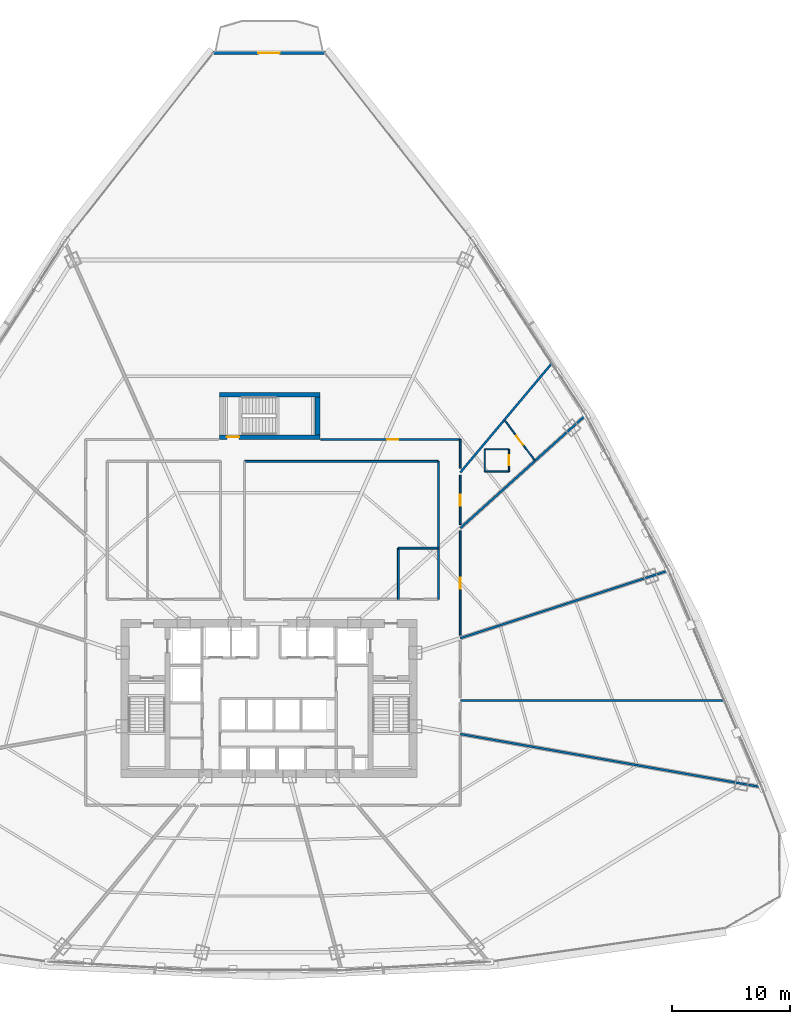
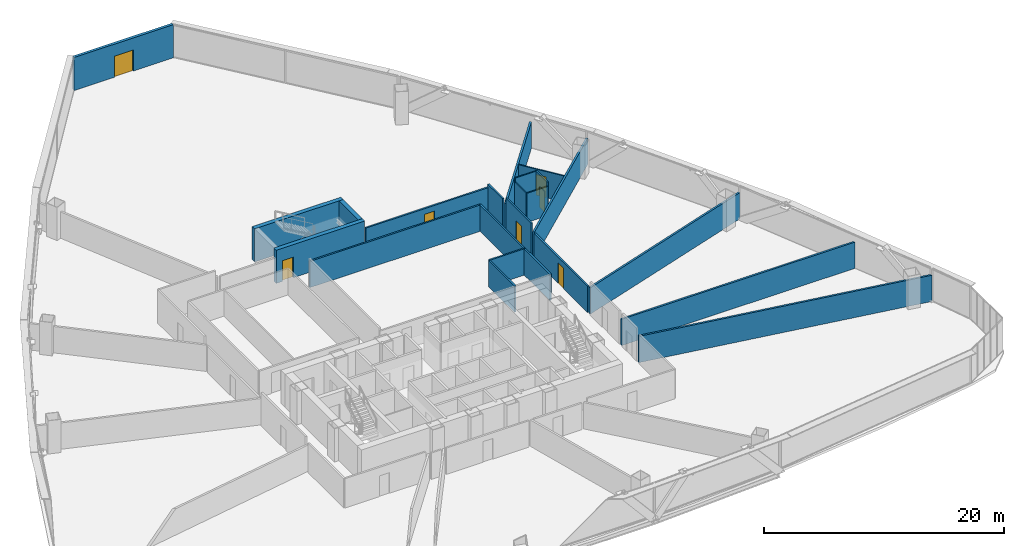
# One storey, part 37 of 42: 22 walls, 7 doors, 7 openings.
"""IFC4 building model written with IfcOpenShell, lengths in metres."""

from ifc_helpers import new_model, si_unit, direction, frame, frame_2d, origin, origin_with_axes, place, context, subcontext, project, spatial, rectangle, extrude, source, transform, mapped, material, layer, layer_set, type_object, element, fill, save


model = new_model("IFC4")

# Units and contexts
model_context = context("Model", 3, precision=1e-05, world=origin(), true_north=direction((0.0, 1.0)))
body_context = subcontext(model_context, "Body", "Model", "MODEL_VIEW")
ifc_project = project(units=[si_unit("LENGTHUNIT", "METRE"), si_unit("AREAUNIT", "SQUARE_METRE"), si_unit("VOLUMEUNIT", "CUBIC_METRE"), si_unit("PLANEANGLEUNIT", "RADIAN"), si_unit("MASSUNIT", "GRAM", prefix="KILO"), si_unit("THERMODYNAMICTEMPERATUREUNIT", "KELVIN"), si_unit("POWERUNIT", "WATT")], contexts=[model_context])

# Site, building, storey
site_placement = place(None, origin())
site = spatial("IfcSite", under=ifc_project, at=site_placement, CompositionType="ELEMENT")
building_placement = place(site_placement, origin())
building = spatial("IfcBuilding", under=site, at=building_placement, Name="Yunzhuo Pagoda Commons", CompositionType="ELEMENT")
storey_placement = place(building_placement, frame((0.0, 0.0, 48.550048828125)))
storey = spatial("IfcBuildingStorey", under=building, at=storey_placement, Name="L12", CompositionType="ELEMENT", Elevation=48.550048828125)

# Wall, opening, door
ifc_material_1 = material(Name="Precast concrete C40", Category="concrete")
ifc_layer_1 = layer(ifc_material_1, 0.260009765625)
ifc_layer_set_1 = layer_set([ifc_layer_1], Name="Precast concrete C40")
wall_type_1 = type_object("IfcWallType", Name="W-BAL1 Corner Balcony Threshold Wall 260", PredefinedType="STANDARD", material=ifc_layer_set_1)
wall_1_placement = place(storey_placement, frame((52.773193359375, 88.565673828125, 0.0), z_axis=(0.0, 0.0, 1.0), x_axis=(-1.0, 0.0, 0.0)))
wall_1 = element("IfcWall", 1, at=wall_1_placement, inside=storey, type_object=wall_type_1, Name="L12 corner balcony wall V3", PredefinedType="STANDARD", context=body_context, shape_type="SweptSolid", body=[
    extrude(rectangle(XDim=9.54638671875, YDim=0.260009765625, at=frame_2d((4.773193359375, 0.0))), origin(), (0.0, 0.0, 1.0), 3.369873046875),
])
opening_1_placement = place(wall_1_placement, frame((3.873291015625, 0.0, 0.0)))
opening_1 = element("IfcOpeningElement", 2, at=opening_1_placement, cuts=wall_1, Name="Opening D-BAL1", PredefinedType="OPENING", context=body_context, shape_type="SweptSolid", body=[
    extrude(rectangle(XDim=1.800048828125, YDim=2.14990234375, at=frame_2d((0.89990234375, 1.074951171875))), frame((0.0, 0.14013671875, 0.0), z_axis=(0.0, -1.0, 0.0), x_axis=(1.0, 0.0, 0.0)), (0.0, 0.0, 1.0), 0.280029296875),
])
ifc_material_2 = material(Name="Anodized aluminium frame and tempered glazed leaf", Category="aluminium")
door_type_1 = type_object("IfcDoorType", Name="D-BAL1 Corner Balcony Sliding Glazed Door 1800x2150", OperationType="DOUBLE_DOOR_SLIDING", PredefinedType="DOOR", material=ifc_material_2)
shared_shape_1 = source(origin(), body_context, "Body", "SweptSolid", [
    extrude(rectangle(XDim=1.800048828125, YDim=2.14990234375, at=frame_2d((0.89990234375, 1.074951171875))), frame((0.0, 0.02490234375, 0.0), z_axis=(0.0, -1.0, 0.0), x_axis=(1.0, 0.0, 0.0)), (0.0, 0.0, 1.0), 0.050048828125),
])
door_1_placement = place(opening_1_placement, origin_with_axes())
door_1 = element("IfcDoor", 3, at=door_1_placement, inside=storey, type_object=door_type_1, Name="L12 corner balcony sliding door V3", OperationType="DOUBLE_DOOR_SLIDING", OverallHeight=2.14990234375, OverallWidth=1.800048828125, PredefinedType="DOOR", context=body_context, shape_type="MappedRepresentation", body=[
    mapped(shared_shape_1, transform((0.0, 0.0, 0.0), scale=1.0)),
])
fill(opening_1, door_1)

# Walls
ifc_material_3 = material(Name="Gypsum plasterboard on acoustic stud")
ifc_layer_2 = layer(ifc_material_3, 0.159912109375)
ifc_layer_set_2 = layer_set([ifc_layer_2], Name="Gypsum plasterboard on acoustic stud")
wall_type_2 = type_object("IfcWallType", Name="W-COR1 Tower Rated Corridor Wall 160", PredefinedType="PARTITIONING", material=ifc_layer_set_2)
wall_2_placement = place(storey_placement, frame((45.919921875, 53.949951171875, 0.0), z_axis=(0.0, 0.0, 1.0), x_axis=(1.0, 0.0, 0.0)))
element("IfcWall", 4, at=wall_2_placement, inside=storey, type_object=wall_type_2, Name="L12 interior wall IW-L12-ISLEN", PredefinedType="PARTITIONING", context=body_context, shape_type="SweptSolid", body=[
    extrude(rectangle(XDim=16.43017578125, YDim=0.159912109375, at=frame_2d((8.215087890625, 0.0))), origin(), (0.0, 0.0, 1.0), 2.669921875),
])
wall_3_placement = place(storey_placement, frame((62.35009765625, 42.25, 0.0), z_axis=(0.0, 0.0, 1.0), x_axis=(0.0, 1.0, 0.0)))
element("IfcWall", 5, at=wall_3_placement, inside=storey, type_object=wall_type_2, Name="L12 interior wall IW-L12-ISLEE", PredefinedType="PARTITIONING", context=body_context, shape_type="SweptSolid", body=[
    extrude(rectangle(XDim=11.699951171875, YDim=0.159912109375, at=frame_2d((5.85009765625, 0.0))), origin(), (0.0, 0.0, 1.0), 2.669921875),
])
wall_4_placement = place(storey_placement, frame((58.949951171875, 42.25, 0.0), z_axis=(0.0, 0.0, 1.0), x_axis=(0.0, 1.0, 0.0)))
element("IfcWall", 6, at=wall_4_placement, inside=storey, type_object=wall_type_2, Name="L12 interior wall IW-L12-ISL2W", PredefinedType="PARTITIONING", context=body_context, shape_type="SweptSolid", body=[
    extrude(rectangle(XDim=4.35009765625, YDim=0.159912109375, at=frame_2d((2.175048828125, 0.0))), origin(), (0.0, 0.0, 1.0), 2.669921875),
])
wall_5_placement = place(storey_placement, frame((58.949951171875, 46.60009765625, 0.0), z_axis=(0.0, 0.0, 1.0), x_axis=(1.0, 0.0, 0.0)))
element("IfcWall", 7, at=wall_5_placement, inside=storey, type_object=wall_type_2, Name="L12 interior wall IW-L12-ISL2N", PredefinedType="PARTITIONING", context=body_context, shape_type="SweptSolid", body=[
    extrude(rectangle(XDim=3.400146484375, YDim=0.159912109375, at=frame_2d((1.7001953125, 0.0))), origin(), (0.0, 0.0, 1.0), 2.669921875),
])

# Wall, opening, door
wall_6_placement = place(storey_placement, frame((52.39111328125, 55.800048828125, 0.0), z_axis=(0.0, 0.0, 1.0), x_axis=(1.0, 0.0, 0.0)))
wall_6 = element("IfcWall", 8, at=wall_6_placement, inside=storey, type_object=wall_type_2, Name="L12 interior wall IW-L12-CWL07", PredefinedType="PARTITIONING", context=body_context, shape_type="SweptSolid", body=[
    extrude(rectangle(XDim=11.808837890625, YDim=0.159912109375, at=frame_2d((5.904296875, 0.0))), origin(), (0.0, 0.0, 1.0), 2.669921875),
])
opening_2_placement = place(wall_6_placement, frame((5.623779296875, 0.0, 0.0)))
opening_2 = element("IfcOpeningElement", 9, at=opening_2_placement, cuts=wall_6, Name="Opening D-06", PredefinedType="OPENING", context=body_context, shape_type="SweptSolid", body=[
    extrude(rectangle(XDim=0.949951171875, YDim=2.10009765625, at=frame_2d((0.47509765625, 1.050048828125))), frame((0.0, 0.08984375, 0.0), z_axis=(0.0, -1.0, 0.0), x_axis=(1.0, 0.0, 0.0)), (0.0, 0.0, 1.0), 0.179931640625),
])
ifc_material_4 = material(Name="Galvanized fire-resisting metal leaf")
door_type_2 = type_object("IfcDoorType", Name="D-06 Co-Living Suite Entrance Fire Door 950x2100", OperationType="NOTDEFINED", PredefinedType="DOOR", material=ifc_material_4)
shared_shape_2 = source(origin(), body_context, "Body", "SweptSolid", [
    extrude(rectangle(XDim=0.949951171875, YDim=2.10009765625, at=frame_2d((0.47509765625, 1.050048828125))), frame((0.0, 0.02490234375, 0.0), z_axis=(0.0, -1.0, 0.0), x_axis=(1.0, 0.0, 0.0)), (0.0, 0.0, 1.0), 0.050048828125),
])
door_2_placement = place(opening_2_placement, origin_with_axes())
door_2 = element("IfcDoor", 10, at=door_2_placement, inside=storey, type_object=door_type_2, Name="L12 Shared Resident Kitchen and Pantry door", OperationType="SINGLE_SWING_LEFT", OverallHeight=2.10009765625, OverallWidth=0.949951171875, PredefinedType="DOOR", context=body_context, shape_type="MappedRepresentation", body=[
    mapped(shared_shape_2, transform((0.0, 0.0, 0.0), scale=1.0)),
])
fill(opening_2, door_2)

# Wall
wall_7_placement = place(storey_placement, frame((64.199951171875, 55.800048828125, 0.0), z_axis=(0.0, 0.0, 1.0), x_axis=(0.0, -1.0, 0.0)))
element("IfcWall", 11, at=wall_7_placement, inside=storey, type_object=wall_type_2, Name="L12 interior wall IW-L12-CWL08", PredefinedType="PARTITIONING", context=body_context, shape_type="SweptSolid", body=[
    extrude(rectangle(XDim=2.451416015625, YDim=0.159912109375, at=frame_2d((1.2255859375, 0.0))), origin(), (0.0, 0.0, 1.0), 2.969970703125),
])

# Wall, opening, door
wall_8_placement = place(storey_placement, frame((64.199951171875, 52.78662109375, 0.0), z_axis=(0.0, 0.0, 1.0), x_axis=(0.0, -1.0, 0.0)))
wall_8 = element("IfcWall", 12, at=wall_8_placement, inside=storey, type_object=wall_type_2, Name="L12 interior wall IW-L12-CWL09", PredefinedType="PARTITIONING", context=body_context, shape_type="SweptSolid", body=[
    extrude(rectangle(XDim=4.2041015625, YDim=0.159912109375, at=frame_2d((2.10205078125, 0.0))), origin(), (0.0, 0.0, 1.0), 3.369873046875),
])
opening_3_placement = place(wall_8_placement, frame((1.6650390625, 0.0, 0.0)))
opening_3 = element("IfcOpeningElement", 13, at=opening_3_placement, cuts=wall_8, Name="Opening D-06", PredefinedType="OPENING", context=body_context, shape_type="SweptSolid", body=[
    extrude(rectangle(XDim=0.949951171875, YDim=2.10009765625, at=frame_2d((0.47509765625, 1.050048828125))), frame((0.0, 0.08984375, 0.0), z_axis=(0.0, -1.0, 0.0), x_axis=(1.0, 0.0, 0.0)), (0.0, 0.0, 1.0), 0.179931640625),
])
door_3_placement = place(opening_3_placement, origin_with_axes())
door_3 = element("IfcDoor", 14, at=door_3_placement, inside=storey, type_object=door_type_2, Name="L12 unit 03 entrance door", OperationType="SINGLE_SWING_RIGHT", OverallHeight=2.10009765625, OverallWidth=0.949951171875, PredefinedType="DOOR", context=body_context, shape_type="MappedRepresentation", body=[
    mapped(shared_shape_2, transform((0.0, 0.0, 0.0), scale=1.0)),
])
fill(opening_3, door_3)

wall_9_placement = place(storey_placement, frame((64.199951171875, 48.06689453125, 0.0), z_axis=(0.0, 0.0, 1.0), x_axis=(0.0, -1.0, 0.0)))
wall_9 = element("IfcWall", 15, at=wall_9_placement, inside=storey, type_object=wall_type_2, Name="L12 interior wall IW-L12-CWL10", PredefinedType="PARTITIONING", context=body_context, shape_type="SweptSolid", body=[
    extrude(rectangle(XDim=8.871826171875, YDim=0.159912109375, at=frame_2d((4.43603515625, 0.0))), origin(), (0.0, 0.0, 1.0), 2.669921875),
])
opening_4_placement = place(wall_9_placement, frame((3.966796875, 0.0, 0.0)))
opening_4 = element("IfcOpeningElement", 16, at=opening_4_placement, cuts=wall_9, Name="Opening D-06", PredefinedType="OPENING", context=body_context, shape_type="SweptSolid", body=[
    extrude(rectangle(XDim=0.949951171875, YDim=2.10009765625, at=frame_2d((0.47509765625, 1.050048828125))), frame((0.0, 0.08984375, 0.0), z_axis=(0.0, -1.0, 0.0), x_axis=(1.0, 0.0, 0.0)), (0.0, 0.0, 1.0), 0.179931640625),
])
door_4_placement = place(opening_4_placement, origin_with_axes())
door_4 = element("IfcDoor", 17, at=door_4_placement, inside=storey, type_object=door_type_2, Name="L12 unit 02 entrance door", OperationType="SINGLE_SWING_LEFT", OverallHeight=2.10009765625, OverallWidth=0.949951171875, PredefinedType="DOOR", context=body_context, shape_type="MappedRepresentation", body=[
    mapped(shared_shape_2, transform((0.0, 0.0, 0.0), scale=1.0)),
])
fill(opening_4, door_4)

# Wall
ifc_layer_3 = layer(ifc_material_3, 0.1201171875)
ifc_layer_set_3 = layer_set([ifc_layer_3], Name="Gypsum plasterboard on acoustic stud")
wall_type_3 = type_object("IfcWallType", Name="W-PRT1 Suite & Bathroom Partition 120", PredefinedType="PARTITIONING", material=ifc_layer_set_3)
wall_10_placement = place(storey_placement, frame((66.27490234375, 53.076904296875, 0.0), z_axis=(0.0, 0.0, 1.0), x_axis=(1.0, 0.0, 0.0)))
element("IfcWall", 18, at=wall_10_placement, inside=storey, type_object=wall_type_3, Name="L12 interior wall IW-L12-B03S", PredefinedType="PARTITIONING", context=body_context, shape_type="SweptSolid", body=[
    extrude(rectangle(XDim=2.050048828125, YDim=0.1201171875, at=frame_2d((1.02490234375, 0.0))), origin(), (0.0, 0.0, 1.0), 2.969970703125),
])

# Wall, opening, door
wall_11_placement = place(storey_placement, frame((68.324951171875, 53.076904296875, 0.0), z_axis=(0.0, 0.0, 1.0), x_axis=(0.0, 1.0, 0.0)))
wall_11 = element("IfcWall", 19, at=wall_11_placement, inside=storey, type_object=wall_type_3, Name="L12 interior wall IW-L12-B03E", PredefinedType="PARTITIONING", context=body_context, shape_type="SweptSolid", body=[
    extrude(rectangle(XDim=1.900146484375, YDim=0.1201171875, at=frame_2d((0.9501953125, 0.0))), origin(), (0.0, 0.0, 1.0), 3.369873046875),
])
opening_5_placement = place(wall_11_placement, frame((0.52490234375, 0.0, 0.0)))
opening_5 = element("IfcOpeningElement", 20, at=opening_5_placement, cuts=wall_11, Name="Opening D-05", PredefinedType="OPENING", context=body_context, shape_type="SweptSolid", body=[
    extrude(rectangle(XDim=0.85009765625, YDim=2.10009765625, at=frame_2d((0.425048828125, 1.050048828125))), frame((0.0, 0.070068359375, 0.0), z_axis=(0.0, -1.0, 0.0), x_axis=(1.0, 0.0, 0.0)), (0.0, 0.0, 1.0), 0.14013671875),
])
ifc_material_5 = material(Name="Powder-coated aluminium and timber acoustic leaf", Category="wood")
door_type_3 = type_object("IfcDoorType", Name="D-05 En-Suite Bathroom Door 850x2100", OperationType="NOTDEFINED", PredefinedType="DOOR", material=ifc_material_5)
shared_shape_3 = source(origin(), body_context, "Body", "SweptSolid", [
    extrude(rectangle(XDim=0.85009765625, YDim=2.10009765625, at=frame_2d((0.425048828125, 1.050048828125))), frame((0.0, 0.02490234375, 0.0), z_axis=(0.0, -1.0, 0.0), x_axis=(1.0, 0.0, 0.0)), (0.0, 0.0, 1.0), 0.050048828125),
])
door_5_placement = place(opening_5_placement, frame((0.85009765625, 0.0, 0.0), z_axis=(0.0, 0.0, 1.0), x_axis=(-1.0, 0.0, 0.0)))
door_5 = element("IfcDoor", 21, at=door_5_placement, inside=storey, type_object=door_type_3, Name="L12 unit 03 bathroom door", OperationType="SINGLE_SWING_RIGHT", OverallHeight=2.10009765625, OverallWidth=0.85009765625, PredefinedType="DOOR", context=body_context, shape_type="MappedRepresentation", body=[
    mapped(shared_shape_3, transform((0.0, 0.0, 0.0), scale=1.0)),
])
fill(opening_5, door_5)

# Walls
wall_12_placement = place(storey_placement, frame((68.324951171875, 54.97705078125, 0.0), z_axis=(0.0, 0.0, 1.0), x_axis=(-1.0, 0.0, 0.0)))
element("IfcWall", 22, at=wall_12_placement, inside=storey, type_object=wall_type_3, Name="L12 interior wall IW-L12-B03N", PredefinedType="PARTITIONING", context=body_context, shape_type="SweptSolid", body=[
    extrude(rectangle(XDim=2.050048828125, YDim=0.1201171875, at=frame_2d((1.02490234375, 0.0))), origin(), (0.0, 0.0, 1.0), 3.369873046875),
])
wall_13_placement = place(storey_placement, frame((66.27490234375, 54.97705078125, 0.0), z_axis=(0.0, 0.0, 1.0), x_axis=(0.0, -1.0, 0.0)))
element("IfcWall", 23, at=wall_13_placement, inside=storey, type_object=wall_type_3, Name="L12 interior wall IW-L12-B03W", PredefinedType="PARTITIONING", context=body_context, shape_type="SweptSolid", body=[
    extrude(rectangle(XDim=1.900146484375, YDim=0.1201171875, at=frame_2d((0.9501953125, 0.0))), origin(), (0.0, 0.0, 1.0), 2.969970703125),
])

# Wall, opening, door
wall_14_placement = place(storey_placement, frame((70.500732421875, 54.040283203125, 0.0), z_axis=(0.0, 0.0, 1.0), x_axis=(-0.599443526822, 0.800417052636, 0.0)))
wall_14 = element("IfcWall", 24, at=wall_14_placement, inside=storey, type_object=wall_type_3, Name="L12 interior wall IW-L12-CLB03", PredefinedType="PARTITIONING", context=body_context, shape_type="SweptSolid", body=[
    extrude(rectangle(XDim=4.212890625, YDim=0.1201171875, at=frame_2d((2.1064453125, 0.0))), origin(), (0.0, 0.0, 1.0), 2.669921875),
])
opening_6_placement = place(wall_14_placement, frame((1.646484375, 0.0, 0.0)))
opening_6 = element("IfcOpeningElement", 25, at=opening_6_placement, cuts=wall_14, Name="Opening D-04", PredefinedType="OPENING", context=body_context, shape_type="SweptSolid", body=[
    extrude(rectangle(XDim=0.919921875, YDim=2.10009765625, at=frame_2d((0.4599609375, 1.050048828125))), frame((0.0, 0.070068359375, 0.0), z_axis=(0.0, -1.0, 0.0), x_axis=(1.0, 0.0, 0.0)), (0.0, 0.0, 1.0), 0.14013671875),
])
door_type_4 = type_object("IfcDoorType", Name="D-04 Bedroom & Study Interior Door 920x2100", OperationType="NOTDEFINED", PredefinedType="DOOR", material=ifc_material_5)
shared_shape_4 = source(origin(), body_context, "Body", "SweptSolid", [
    extrude(rectangle(XDim=0.919921875, YDim=2.10009765625, at=frame_2d((0.4599609375, 1.050048828125))), frame((0.0, 0.02490234375, 0.0), z_axis=(0.0, -1.0, 0.0), x_axis=(1.0, 0.0, 0.0)), (0.0, 0.0, 1.0), 0.050048828125),
])
door_6_placement = place(opening_6_placement, origin_with_axes())
door_6 = element("IfcDoor", 26, at=door_6_placement, inside=storey, type_object=door_type_4, Name="L12 suite 03 bedroom door", OperationType="SINGLE_SWING_RIGHT", OverallHeight=2.10009765625, OverallWidth=0.919921875, PredefinedType="DOOR", context=body_context, shape_type="MappedRepresentation", body=[
    mapped(shared_shape_4, transform((0.0, 0.0, 0.0), scale=1.0)),
])
fill(opening_6, door_6)

# Walls
ifc_layer_4 = layer(ifc_material_3, 0.179931640625)
ifc_layer_set_4 = layer_set([ifc_layer_4], Name="Gypsum plasterboard on acoustic stud")
wall_type_4 = type_object("IfcWallType", Name="W-PRT2 Acoustic Unit Demising Wall 180", PredefinedType="PARTITIONING", material=ifc_layer_set_4)
wall_15_placement = place(storey_placement, frame((64.199951171875, 33.699951171875, 0.0), z_axis=(0.0, 0.0, 1.0), x_axis=(1.0, 0.0, 0.0)))
element("IfcWall", 27, at=wall_15_placement, inside=storey, type_object=wall_type_4, Name="L12 interior wall IW-L12-RAD01", PredefinedType="PARTITIONING", context=body_context, shape_type="SweptSolid", body=[
    extrude(rectangle(XDim=22.397705078125, YDim=0.179931640625, at=frame_2d((11.19873046875, 0.0))), origin(), (0.0, 0.0, 1.0), 2.669921875),
])
wall_16_placement = place(storey_placement, frame((64.199951171875, 38.963623046875, 0.0), z_axis=(0.0, 0.0, 1.0), x_axis=(0.951055212532, 0.309021006915, 0.0)))
element("IfcWall", 28, at=wall_16_placement, inside=storey, type_object=wall_type_4, Name="L12 interior wall IW-L12-RAD02", PredefinedType="PARTITIONING", context=body_context, shape_type="SweptSolid", body=[
    extrude(rectangle(XDim=18.5810546875, YDim=0.179931640625, at=frame_2d((9.29052734375, 0.0))), origin(), (0.0, 0.0, 1.0), 2.669921875),
])
wall_17_placement = place(storey_placement, frame((64.199951171875, 48.28662109375, 0.0), z_axis=(0.0, 0.0, 1.0), x_axis=(0.743156867614, 0.669117231969, 0.0)))
element("IfcWall", 29, at=wall_17_placement, inside=storey, type_object=wall_type_4, Name="L12 interior wall IW-L12-RAD03", PredefinedType="PARTITIONING", context=body_context, shape_type="SweptSolid", body=[
    extrude(rectangle(XDim=14.327392578125, YDim=0.179931640625, at=frame_2d((7.16357421875, 0.0))), origin(), (0.0, 0.0, 1.0), 2.669921875),
])
wall_18_placement = place(storey_placement, frame((64.199951171875, 53.00634765625, 0.0), z_axis=(0.0, 0.0, 1.0), x_axis=(0.642786334534, 0.766045513098, 0.0)))
element("IfcWall", 30, at=wall_18_placement, inside=storey, type_object=wall_type_4, Name="L12 interior wall IW-L12-RAD04", PredefinedType="PARTITIONING", context=body_context, shape_type="SweptSolid", body=[
    extrude(rectangle(XDim=12.110107421875, YDim=0.179931640625, at=frame_2d((6.05517578125, 0.0))), origin(), (0.0, 0.0, 1.0), 2.669921875),
])
wall_19_placement = place(storey_placement, frame((64.199951171875, 30.843505859375, 0.0), z_axis=(0.0, 0.0, 1.0), x_axis=(0.984807792045, -0.173647956302, 0.0)))
element("IfcWall", 31, at=wall_19_placement, inside=storey, type_object=wall_type_4, Name="L12 interior wall IW-L12-RAD13", PredefinedType="PARTITIONING", context=body_context, shape_type="SweptSolid", body=[
    extrude(rectangle(XDim=25.953857421875, YDim=0.179931640625, at=frame_2d((12.97705078125, 0.0))), origin(), (0.0, 0.0, 1.0), 2.669921875),
])
ifc_material_6 = material(Name="Concrete C60", Category="concrete")
ifc_layer_5 = layer(ifc_material_6, 0.39990234375)
ifc_layer_set_5 = layer_set([ifc_layer_5], Name="Concrete C60")
wall_type_5 = type_object("IfcWallType", Name="W-S01 Internal Core Shear Web 400", PredefinedType="SHEAR", material=ifc_layer_set_5)
wall_20_placement = place(storey_placement, frame((43.800048828125, 59.60009765625, 0.0), z_axis=(0.0, 0.0, 1.0), x_axis=(1.0, 0.0, 0.0)))
element("IfcWall", 32, at=wall_20_placement, inside=storey, type_object=wall_type_5, Name="L12 ST3 structural stair wall N", PredefinedType="SHEAR", context=body_context, shape_type="SweptSolid", body=[
    extrude(rectangle(XDim=8.5, YDim=0.39990234375, at=frame_2d((4.25, 0.0))), origin(), (0.0, 0.0, 1.0), 3.369873046875),
])

# Wall, opening, door
wall_21_placement = place(storey_placement, frame((43.800048828125, 56.0, 0.0), z_axis=(0.0, 0.0, 1.0), x_axis=(1.0, 0.0, 0.0)))
wall_21 = element("IfcWall", 33, at=wall_21_placement, inside=storey, type_object=wall_type_5, Name="L12 ST3 structural stair wall S", PredefinedType="SHEAR", context=body_context, shape_type="SweptSolid", body=[
    extrude(rectangle(XDim=8.5, YDim=0.39990234375, at=frame_2d((4.25, 0.0))), origin(), (0.0, 0.0, 1.0), 3.369873046875),
])
opening_7_placement = place(wall_21_placement, frame((0.6201171875, 0.0, 0.0)))
opening_7 = element("IfcOpeningElement", 34, at=opening_7_placement, cuts=wall_21, Name="Opening D-01", PredefinedType="OPENING", context=body_context, shape_type="SweptSolid", body=[
    extrude(rectangle(XDim=1.050048828125, YDim=2.10009765625, at=frame_2d((0.52490234375, 1.050048828125))), frame((0.0, 0.2099609375, 0.0), z_axis=(0.0, -1.0, 0.0), x_axis=(1.0, 0.0, 0.0)), (0.0, 0.0, 1.0), 0.419921875),
])
door_type_5 = type_object("IfcDoorType", Name="D-01 Smokeproof Stair Fire Door 1050x2100", OperationType="NOTDEFINED", PredefinedType="DOOR", material=ifc_material_4)
shared_shape_5 = source(origin(), body_context, "Body", "SweptSolid", [
    extrude(rectangle(XDim=1.050048828125, YDim=2.10009765625, at=frame_2d((0.52490234375, 1.050048828125))), frame((0.0, 0.02490234375, 0.0), z_axis=(0.0, -1.0, 0.0), x_axis=(1.0, 0.0, 0.0)), (0.0, 0.0, 1.0), 0.050048828125),
])
door_7_placement = place(opening_7_placement, frame((1.050048828125, 0.0, 0.0), z_axis=(0.0, 0.0, 1.0), x_axis=(-1.0, 0.0, 0.0)))
door_7 = element("IfcDoor", 35, at=door_7_placement, inside=storey, type_object=door_type_5, Name="L12 Stair ST3 fire door", OperationType="SINGLE_SWING_LEFT", OverallHeight=2.10009765625, OverallWidth=1.050048828125, PredefinedType="DOOR", context=body_context, shape_type="MappedRepresentation", body=[
    mapped(shared_shape_5, transform((0.0, 0.0, 0.0), scale=1.0)),
])
fill(opening_7, door_7)

# Wall
wall_22_placement = place(storey_placement, frame((52.10009765625, 56.199951171875, 0.0), z_axis=(0.0, 0.0, 1.0), x_axis=(0.0, 1.0, 0.0)))
element("IfcWall", 36, at=wall_22_placement, inside=storey, type_object=wall_type_5, Name="L12 ST3 structural stair wall E", PredefinedType="SHEAR", context=body_context, shape_type="SweptSolid", body=[
    extrude(rectangle(XDim=3.199951171875, YDim=0.39990234375, at=frame_2d((1.60009765625, 0.0))), origin(), (0.0, 0.0, 1.0), 3.369873046875),
])

save(model, "model.ifc")
